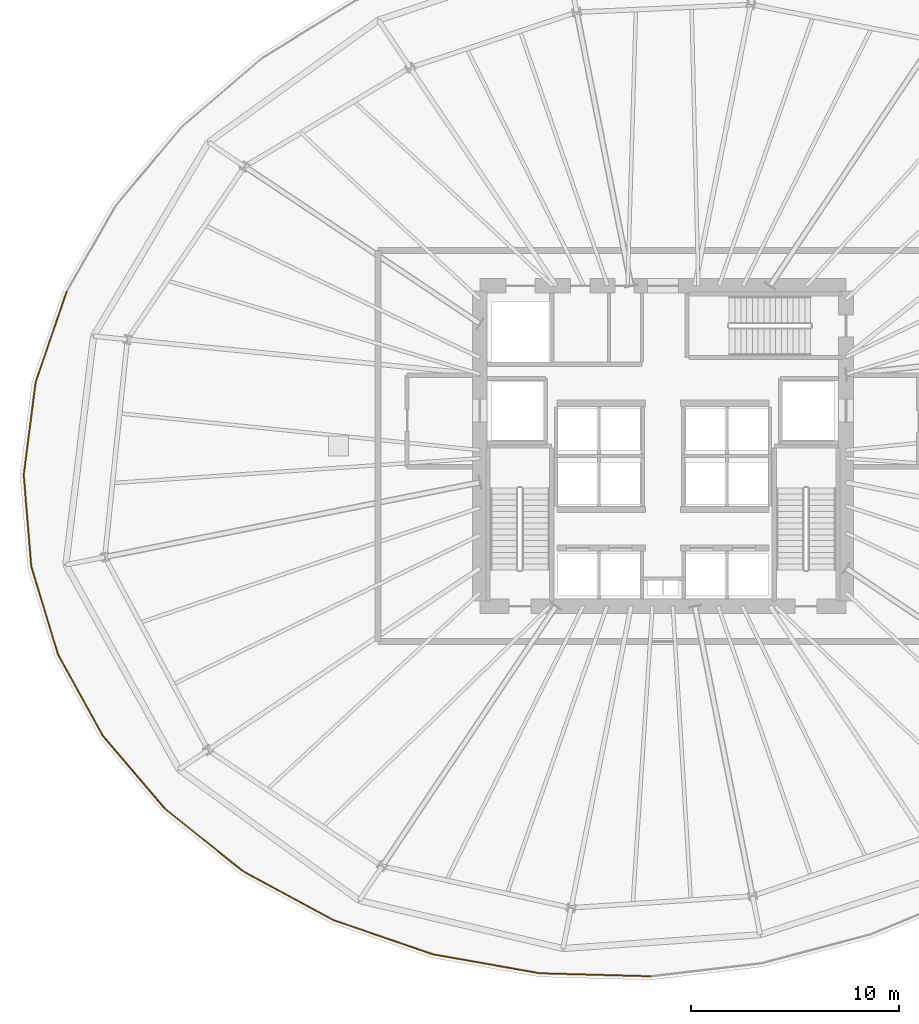
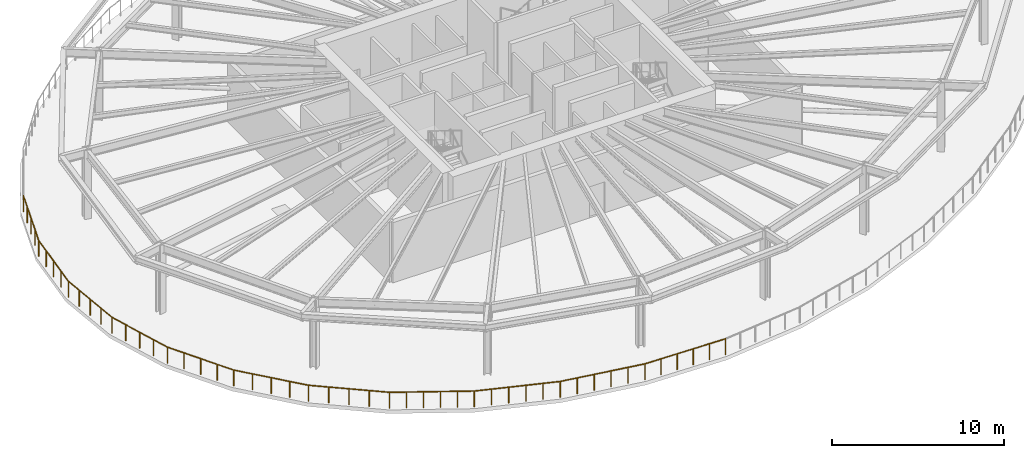
# One storey, part 6 of 9: 11 railings.
"""IFC4 building model written with IfcOpenShell, lengths in metres."""

from ifc_helpers import new_model, si_unit, direction, frame, origin, origin_2d, place, context, subcontext, project, spatial, circle, extrude, material, type_object, element, save


model = new_model("IFC4")

# Units and contexts
model_context = context("Model", 3, precision=1e-05, world=origin(), true_north=direction((0.0, 1.0)))
body_context = subcontext(model_context, "Body", "Model", "MODEL_VIEW")
ifc_project = project(units=[si_unit("LENGTHUNIT", "METRE"), si_unit("AREAUNIT", "SQUARE_METRE"), si_unit("VOLUMEUNIT", "CUBIC_METRE"), si_unit("PLANEANGLEUNIT", "RADIAN"), si_unit("MASSUNIT", "GRAM", prefix="KILO"), si_unit("THERMODYNAMICTEMPERATUREUNIT", "KELVIN")], contexts=[model_context])

# Site, building, storey
site_placement = place(None, origin())
site = spatial("IfcSite", under=ifc_project, at=site_placement, CompositionType="ELEMENT")
building_placement = place(site_placement, origin())
building = spatial("IfcBuilding", under=site, at=building_placement, Name="Kethvar Cultural Tower", CompositionType="ELEMENT")
storey_placement = place(building_placement, frame((0.0, 0.0, 75.199951171875)))
storey = spatial("IfcBuildingStorey", under=building, at=storey_placement, Name="L18", CompositionType="ELEMENT", Elevation=75.199951171875)

# Railings
ifc_material = material(Name="Steel S355J2", Category="steel")
railing_type = type_object("IfcRailingType", Name="RL-EXT-GUARD-1150", PredefinedType="BALUSTRADE", material=ifc_material)
railing_1_placement = place(storey_placement, frame((18.12939453125, 35.2294921875, 0.0)))
element("IfcRailing", 1, at=railing_1_placement, inside=storey, type_object=railing_type, Name="L18 Open Wind-Floor Perimeter Guard 16", PredefinedType="BALUSTRADE", context=body_context, shape_type="SweptSolid", body=[
    extrude(circle(Radius=0.02392578125, at=origin_2d()), frame((0.0, 0.0, 1.1259765625), z_axis=(-0.323627743565, -0.946184487082, 0.0), x_axis=(0.946184487082, -0.323627743565, 0.0)), (0.0, 0.0, 1.0), 4.606201171875),
    extrude(circle(Radius=0.02099609375, at=origin_2d()), origin(), (0.0, 0.0, 1.0), 1.101806640625),
    extrude(circle(Radius=0.02099609375, at=origin_2d()), frame((-0.37255859375, -1.089599609375, 0.0)), (0.0, 0.0, 1.0), 1.101806640625),
    extrude(circle(Radius=0.02099609375, at=origin_2d()), frame((-0.745361328125, -2.17919921875, 0.0)), (0.0, 0.0, 1.0), 1.101806640625),
    extrude(circle(Radius=0.02099609375, at=origin_2d()), frame((-1.1181640625, -3.268798828125, 0.0)), (0.0, 0.0, 1.0), 1.101806640625),
    extrude(circle(Radius=0.02099609375, at=origin_2d()), frame((-1.49072265625, -4.3583984375, 0.0)), (0.0, 0.0, 1.0), 1.101806640625),
])
railing_2_placement = place(storey_placement, frame((16.638671875, 30.87109375, 0.0)))
element("IfcRailing", 2, at=railing_2_placement, inside=storey, type_object=railing_type, Name="L18 Open Wind-Floor Perimeter Guard 17", PredefinedType="BALUSTRADE", context=body_context, shape_type="SweptSolid", body=[
    extrude(circle(Radius=0.02392578125, at=origin_2d()), frame((0.0, 0.0, 1.1259765625), z_axis=(-0.127667689032, -0.991816999843, 0.0), x_axis=(0.991816999843, -0.127667689032, 0.0)), (0.0, 0.0, 1.0), 4.489990234375),
    extrude(circle(Radius=0.02099609375, at=origin_2d()), origin(), (0.0, 0.0, 1.0), 1.101806640625),
    extrude(circle(Radius=0.02099609375, at=origin_2d()), frame((-0.143310546875, -1.11328125, 0.0)), (0.0, 0.0, 1.0), 1.101806640625),
    extrude(circle(Radius=0.02099609375, at=origin_2d()), frame((-0.28662109375, -2.2265625, 0.0)), (0.0, 0.0, 1.0), 1.101806640625),
    extrude(circle(Radius=0.02099609375, at=origin_2d()), frame((-0.429931640625, -3.340087890625, 0.0)), (0.0, 0.0, 1.0), 1.101806640625),
    extrude(circle(Radius=0.02099609375, at=origin_2d()), frame((-0.5732421875, -4.453369140625, 0.0)), (0.0, 0.0, 1.0), 1.101806640625),
])
railing_3_placement = place(storey_placement, frame((16.0654296875, 26.417724609375, 0.0)))
element("IfcRailing", 3, at=railing_3_placement, inside=storey, type_object=railing_type, Name="L18 Open Wind-Floor Perimeter Guard 18", PredefinedType="BALUSTRADE", context=body_context, shape_type="SweptSolid", body=[
    extrude(circle(Radius=0.02392578125, at=origin_2d()), frame((0.0, 0.0, 1.1259765625), z_axis=(0.081904299673, -0.996640198715, 0.0), x_axis=(0.996640198715, 0.081904299673, 0.0)), (0.0, 0.0, 1.0), 4.426513671875),
    extrude(circle(Radius=0.02099609375, at=origin_2d()), origin(), (0.0, 0.0, 1.0), 1.101806640625),
    extrude(circle(Radius=0.02099609375, at=origin_2d()), frame((0.090576171875, -1.10302734375, 0.0)), (0.0, 0.0, 1.0), 1.101806640625),
    extrude(circle(Radius=0.02099609375, at=origin_2d()), frame((0.18115234375, -2.205810546875, 0.0)), (0.0, 0.0, 1.0), 1.101806640625),
    extrude(circle(Radius=0.02099609375, at=origin_2d()), frame((0.27197265625, -3.30859375, 0.0)), (0.0, 0.0, 1.0), 1.101806640625),
    extrude(circle(Radius=0.02099609375, at=origin_2d()), frame((0.362548828125, -4.41162109375, 0.0)), (0.0, 0.0, 1.0), 1.101806640625),
])
railing_4_placement = place(storey_placement, frame((16.427978515625, 22.006103515625, 0.0)))
element("IfcRailing", 4, at=railing_4_placement, inside=storey, type_object=railing_type, Name="L18 Open Wind-Floor Perimeter Guard 19", PredefinedType="BALUSTRADE", context=body_context, shape_type="SweptSolid", body=[
    extrude(circle(Radius=0.02392578125, at=origin_2d()), frame((0.0, 0.0, 1.1259765625), z_axis=(0.290781895067, -0.956789365274, 0.0), x_axis=(0.956789365274, 0.290781895067, 0.0)), (0.0, 0.0, 1.0), 4.42626953125),
    extrude(circle(Radius=0.02099609375, at=origin_2d()), origin(), (0.0, 0.0, 1.0), 1.101806640625),
    extrude(circle(Radius=0.02099609375, at=origin_2d()), frame((0.32177734375, -1.058837890625, 0.0)), (0.0, 0.0, 1.0), 1.101806640625),
    extrude(circle(Radius=0.02099609375, at=origin_2d()), frame((0.6435546875, -2.11767578125, 0.0)), (0.0, 0.0, 1.0), 1.101806640625),
    extrude(circle(Radius=0.02099609375, at=origin_2d()), frame((0.96533203125, -3.17626953125, 0.0)), (0.0, 0.0, 1.0), 1.101806640625),
    extrude(circle(Radius=0.02099609375, at=origin_2d()), frame((1.287109375, -4.235107421875, 0.0)), (0.0, 0.0, 1.0), 1.101806640625),
])
railing_5_placement = place(storey_placement, frame((17.715087890625, 17.77099609375, 0.0)))
element("IfcRailing", 5, at=railing_5_placement, inside=storey, type_object=railing_type, Name="L18 Open Wind-Floor Perimeter Guard 20", PredefinedType="BALUSTRADE", context=body_context, shape_type="SweptSolid", body=[
    extrude(circle(Radius=0.02392578125, at=origin_2d()), frame((0.0, 0.0, 1.1259765625), z_axis=(0.483785860917, -0.875186403446, 0.0), x_axis=(0.875186403446, 0.483785860917, 0.0)), (0.0, 0.0, 1.0), 4.48974609375),
    extrude(circle(Radius=0.02099609375, at=origin_2d()), origin(), (0.0, 0.0, 1.0), 1.101806640625),
    extrude(circle(Radius=0.02099609375, at=origin_2d()), frame((0.54296875, -0.982421875, 0.0)), (0.0, 0.0, 1.0), 1.101806640625),
    extrude(circle(Radius=0.02099609375, at=origin_2d()), frame((1.0859375, -1.96484375, 0.0)), (0.0, 0.0, 1.0), 1.101806640625),
    extrude(circle(Radius=0.02099609375, at=origin_2d()), frame((1.629150390625, -2.947021484375, 0.0)), (0.0, 0.0, 1.0), 1.101806640625),
    extrude(circle(Radius=0.02099609375, at=origin_2d()), frame((2.172119140625, -3.929443359375, 0.0)), (0.0, 0.0, 1.0), 1.101806640625),
])
railing_6_placement = place(storey_placement, frame((19.88720703125, 13.841552734375, 0.0)))
element("IfcRailing", 6, at=railing_6_placement, inside=storey, type_object=railing_type, Name="L18 Open Wind-Floor Perimeter Guard 21", PredefinedType="BALUSTRADE", context=body_context, shape_type="SweptSolid", body=[
    extrude(circle(Radius=0.02392578125, at=origin_2d()), frame((0.0, 0.0, 1.1259765625), z_axis=(0.649236208386, -0.760586842984, 0.0), x_axis=(0.760586842984, 0.649236208386, 0.0)), (0.0, 0.0, 1.0), 4.6064453125),
    extrude(circle(Radius=0.02099609375, at=origin_2d()), origin(), (0.0, 0.0, 1.0), 1.101806640625),
    extrude(circle(Radius=0.02099609375, at=origin_2d()), frame((0.74755859375, -0.8759765625, 0.0)), (0.0, 0.0, 1.0), 1.101806640625),
    extrude(circle(Radius=0.02099609375, at=origin_2d()), frame((1.495361328125, -1.751953125, 0.0)), (0.0, 0.0, 1.0), 1.101806640625),
    extrude(circle(Radius=0.02099609375, at=origin_2d()), frame((2.2431640625, -2.627685546875, 0.0)), (0.0, 0.0, 1.0), 1.101806640625),
    extrude(circle(Radius=0.02099609375, at=origin_2d()), frame((2.99072265625, -3.503662109375, 0.0)), (0.0, 0.0, 1.0), 1.101806640625),
])
railing_7_placement = place(storey_placement, frame((22.8779296875, 10.337890625, 0.0)))
element("IfcRailing", 7, at=railing_7_placement, inside=storey, type_object=railing_type, Name="L18 Open Wind-Floor Perimeter Guard 22", PredefinedType="BALUSTRADE", context=body_context, shape_type="SweptSolid", body=[
    extrude(circle(Radius=0.02392578125, at=origin_2d()), frame((0.0, 0.0, 1.1259765625), z_axis=(0.78115399059, -0.624338404221, 0.0), x_axis=(0.624338404221, 0.78115399059, 0.0)), (0.0, 0.0, 1.0), 4.75927734375),
    extrude(circle(Radius=0.02099609375, at=origin_2d()), origin(), (0.0, 0.0, 1.0), 1.101806640625),
    extrude(circle(Radius=0.02099609375, at=origin_2d()), frame((0.929443359375, -0.742919921875, 0.0)), (0.0, 0.0, 1.0), 1.101806640625),
    extrude(circle(Radius=0.02099609375, at=origin_2d()), frame((1.85888671875, -1.48583984375, 0.0)), (0.0, 0.0, 1.0), 1.101806640625),
    extrude(circle(Radius=0.02099609375, at=origin_2d()), frame((2.788330078125, -2.228515625, 0.0)), (0.0, 0.0, 1.0), 1.101806640625),
    extrude(circle(Radius=0.02099609375, at=origin_2d()), frame((3.7177734375, -2.971435546875, 0.0)), (0.0, 0.0, 1.0), 1.101806640625),
])
railing_8_placement = place(storey_placement, frame((26.595703125, 7.366455078125, 0.0)))
element("IfcRailing", 8, at=railing_8_placement, inside=storey, type_object=railing_type, Name="L18 Open Wind-Floor Perimeter Guard 23", PredefinedType="BALUSTRADE", context=body_context, shape_type="SweptSolid", body=[
    extrude(circle(Radius=0.02392578125, at=origin_2d()), frame((0.0, 0.0, 1.1259765625), z_axis=(0.87901249375, -0.476798737237, 0.0), x_axis=(0.476798737237, 0.87901249375, 0.0)), (0.0, 0.0, 1.0), 4.92626953125),
    extrude(circle(Radius=0.02099609375, at=origin_2d()), origin(), (0.0, 0.0, 1.0), 1.101806640625),
    extrude(circle(Radius=0.02099609375, at=origin_2d()), frame((0.865966796875, -0.4697265625, 0.0)), (0.0, 0.0, 1.0), 1.101806640625),
    extrude(circle(Radius=0.02099609375, at=origin_2d()), frame((1.732177734375, -0.939453125, 0.0)), (0.0, 0.0, 1.0), 1.101806640625),
    extrude(circle(Radius=0.02099609375, at=origin_2d()), frame((2.59814453125, -1.409423828125, 0.0)), (0.0, 0.0, 1.0), 1.101806640625),
    extrude(circle(Radius=0.02099609375, at=origin_2d()), frame((3.46435546875, -1.879150390625, 0.0)), (0.0, 0.0, 1.0), 1.101806640625),
    extrude(circle(Radius=0.02099609375, at=origin_2d()), frame((4.330322265625, -2.348876953125, 0.0)), (0.0, 0.0, 1.0), 1.101806640625),
])
railing_9_placement = place(storey_placement, frame((30.926025390625, 5.017578125, 0.0)))
element("IfcRailing", 9, at=railing_9_placement, inside=storey, type_object=railing_type, Name="L18 Open Wind-Floor Perimeter Guard 24", PredefinedType="BALUSTRADE", context=body_context, shape_type="SweptSolid", body=[
    extrude(circle(Radius=0.02392578125, at=origin_2d()), frame((0.0, 0.0, 1.1259765625), z_axis=(0.945597130765, -0.325339924215, 0.0), x_axis=(0.325339924215, 0.945597130765, 0.0)), (0.0, 0.0, 1.0), 5.087890625),
    extrude(circle(Radius=0.02099609375, at=origin_2d()), origin(), (0.0, 0.0, 1.0), 1.101806640625),
    extrude(circle(Radius=0.02099609375, at=origin_2d()), frame((0.962158203125, -0.3310546875, 0.0)), (0.0, 0.0, 1.0), 1.101806640625),
    extrude(circle(Radius=0.02099609375, at=origin_2d()), frame((1.92431640625, -0.662109375, 0.0)), (0.0, 0.0, 1.0), 1.101806640625),
    extrude(circle(Radius=0.02099609375, at=origin_2d()), frame((2.88671875, -0.9931640625, 0.0)), (0.0, 0.0, 1.0), 1.101806640625),
    extrude(circle(Radius=0.02099609375, at=origin_2d()), frame((3.848876953125, -1.32421875, 0.0)), (0.0, 0.0, 1.0), 1.101806640625),
    extrude(circle(Radius=0.02099609375, at=origin_2d()), frame((4.81103515625, -1.6552734375, 0.0)), (0.0, 0.0, 1.0), 1.101806640625),
])
railing_10_placement = place(storey_placement, frame((35.737060546875, 3.3623046875, 0.0)))
element("IfcRailing", 10, at=railing_10_placement, inside=storey, type_object=railing_type, Name="L18 Open Wind-Floor Perimeter Guard 25", PredefinedType="BALUSTRADE", context=body_context, shape_type="SweptSolid", body=[
    extrude(circle(Radius=0.02392578125, at=origin_2d()), frame((0.0, 0.0, 1.1259765625), z_axis=(0.984611856421, -0.174755521214, 0.0), x_axis=(0.174755521214, 0.984611856421, 0.0)), (0.0, 0.0, 1.0), 5.224853515625),
    extrude(circle(Radius=0.02099609375, at=origin_2d()), origin(), (0.0, 0.0, 1.0), 1.101806640625),
    extrude(circle(Radius=0.02099609375, at=origin_2d()), frame((1.02880859375, -0.1826171875, 0.0)), (0.0, 0.0, 1.0), 1.101806640625),
    extrude(circle(Radius=0.02099609375, at=origin_2d()), frame((2.057861328125, -0.365234375, 0.0)), (0.0, 0.0, 1.0), 1.101806640625),
    extrude(circle(Radius=0.02099609375, at=origin_2d()), frame((3.086669921875, -0.5478515625, 0.0)), (0.0, 0.0, 1.0), 1.101806640625),
    extrude(circle(Radius=0.02099609375, at=origin_2d()), frame((4.11572265625, -0.73046875, 0.0)), (0.0, 0.0, 1.0), 1.101806640625),
    extrude(circle(Radius=0.02099609375, at=origin_2d()), frame((5.14453125, -0.9130859375, 0.0)), (0.0, 0.0, 1.0), 1.101806640625),
])
railing_11_placement = place(storey_placement, frame((40.881591796875, 2.44921875, 0.0)))
element("IfcRailing", 11, at=railing_11_placement, inside=storey, type_object=railing_type, Name="L18 Open Wind-Floor Perimeter Guard 26", PredefinedType="BALUSTRADE", context=body_context, shape_type="SweptSolid", body=[
    extrude(circle(Radius=0.02392578125, at=origin_2d()), frame((0.0, 0.0, 1.1259765625), z_axis=(0.999635237577, -0.027007254481, 0.0), x_axis=(0.027007254481, 0.999635237577, 0.0)), (0.0, 0.0, 1.0), 5.324462890625),
    extrude(circle(Radius=0.02099609375, at=origin_2d()), origin(), (0.0, 0.0, 1.0), 1.101806640625),
    extrude(circle(Radius=0.02099609375, at=origin_2d()), frame((1.064453125, -0.02880859375, 0.0)), (0.0, 0.0, 1.0), 1.101806640625),
    extrude(circle(Radius=0.02099609375, at=origin_2d()), frame((2.12890625, -0.0576171875, 0.0)), (0.0, 0.0, 1.0), 1.101806640625),
    extrude(circle(Radius=0.02099609375, at=origin_2d()), frame((3.193603515625, -0.086181640625, 0.0)), (0.0, 0.0, 1.0), 1.101806640625),
    extrude(circle(Radius=0.02099609375, at=origin_2d()), frame((4.258056640625, -0.114990234375, 0.0)), (0.0, 0.0, 1.0), 1.101806640625),
    extrude(circle(Radius=0.02099609375, at=origin_2d()), frame((5.322509765625, -0.143798828125, 0.0)), (0.0, 0.0, 1.0), 1.101806640625),
])

save(model, "model.ifc")
